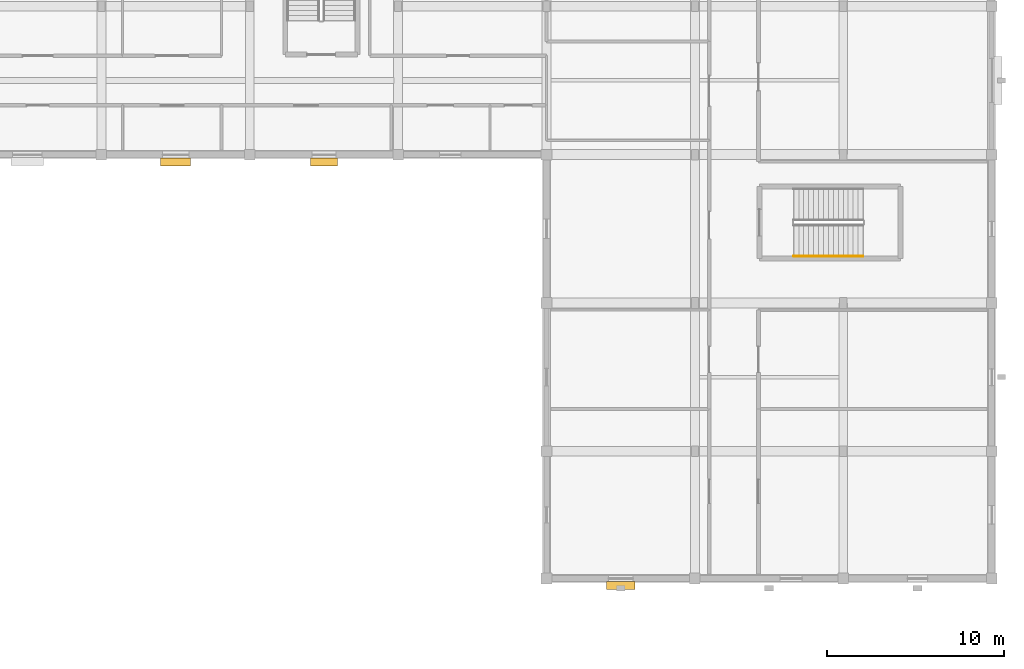
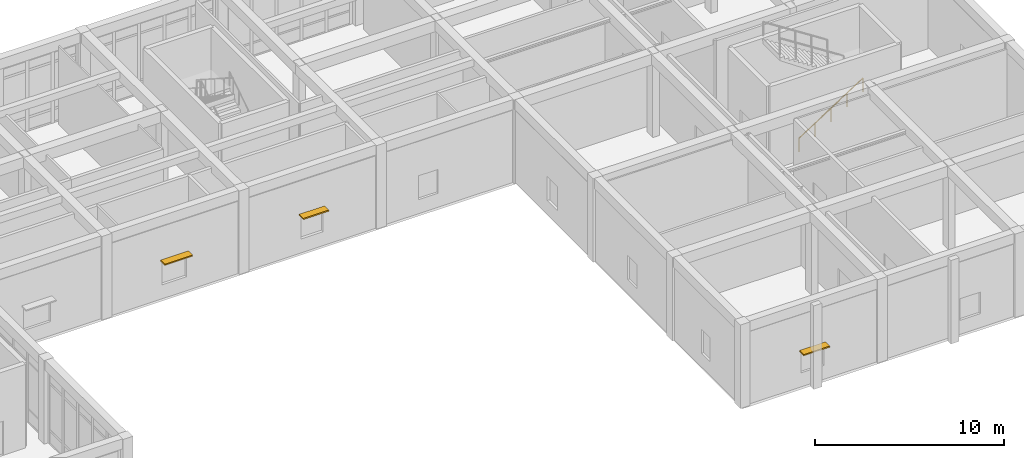
# One storey, part 149 of 157: 3 shading devices, 1 railing.
"""IFC4 building model written with IfcOpenShell, lengths in metres."""

from ifc_helpers import new_model, si_unit, direction, frame, origin, origin_2d, place, context, subcontext, project, spatial, rectangle, circle, extrude, material, layer, layer_set, type_object, element, save


model = new_model("IFC4")

# Units and contexts
model_context = context("Model", 3, precision=1e-05, world=origin(), true_north=direction((0.0, 1.0)))
body_context = subcontext(model_context, "Body", "Model", "MODEL_VIEW")
ifc_project = project(units=[si_unit("LENGTHUNIT", "METRE"), si_unit("AREAUNIT", "SQUARE_METRE"), si_unit("VOLUMEUNIT", "CUBIC_METRE"), si_unit("PLANEANGLEUNIT", "RADIAN"), si_unit("MASSUNIT", "GRAM", prefix="KILO")], contexts=[model_context])

# Site, building, storey
site_placement = place(None, origin())
site = spatial("IfcSite", under=ifc_project, at=site_placement, CompositionType="ELEMENT")
building_placement = place(site_placement, origin())
building = spatial("IfcBuilding", under=site, at=building_placement, Name="Varncliffe General Hospital", CompositionType="ELEMENT")
storey_placement = place(building_placement, frame((0.0, 0.0, 5.39990234375)))
storey = spatial("IfcBuildingStorey", under=building, at=storey_placement, Name="L01", CompositionType="ELEMENT", Elevation=5.39990234375)

# Shading devices
ifc_material_1 = material(Name="Dark bronze extruded aluminium solar jalousie louvres", Category="aluminium")
ifc_layer = layer(ifc_material_1, 0.080078125)
ifc_layer_set = layer_set([ifc_layer], Name="Dark bronze extruded aluminium solar jalousie louvres")
shading_device_type = type_object("IfcShadingDeviceType", Name="Bronze Solar Jalousie Louvre Hood SHD18", PredefinedType="JALOUSIE", material=ifc_layer_set)
shading_device_1_placement = place(storey_placement, frame((155.39990234375, -0.389892578125, 2.31005859375), z_axis=(0.0, 0.0, 1.0), x_axis=(-1.0, 0.0, 0.0)))
element("IfcShadingDevice", 1, at=shading_device_1_placement, inside=storey, type_object=shading_device_type, Name="L01 Bronze Window Sun-Shading Louvre 39", PredefinedType="JALOUSIE", context=body_context, shape_type="SweptSolid", body=[
    extrude(rectangle(XDim=1.60009765625, YDim=0.449951171875, at=origin_2d()), origin(), (0.0, 0.0, 1.0), 0.080078125),
])
shading_device_2_placement = place(storey_placement, frame((138.60009765625, 23.574951171875, 2.4599609375), z_axis=(0.0, 0.0, 1.0), x_axis=(-1.0, 0.0, 0.0)))
element("IfcShadingDevice", 2, at=shading_device_2_placement, inside=storey, type_object=shading_device_type, Name="L01 Bronze Window Sun-Shading Louvre 40", PredefinedType="JALOUSIE", context=body_context, shape_type="SweptSolid", body=[
    extrude(rectangle(XDim=1.550048828125, YDim=0.449951171875, at=origin_2d()), origin(), (0.0, 0.0, 1.0), 0.080078125),
])
shading_device_3_placement = place(storey_placement, frame((130.199951171875, 23.5849609375, 2.4599609375), z_axis=(0.0, 0.0, 1.0), x_axis=(-1.0, 0.0, 0.0)))
element("IfcShadingDevice", 3, at=shading_device_3_placement, inside=storey, type_object=shading_device_type, Name="L01 Bronze Window Sun-Shading Louvre 41", PredefinedType="JALOUSIE", context=body_context, shape_type="SweptSolid", body=[
    extrude(rectangle(XDim=1.699951171875, YDim=0.449951171875, at=origin_2d()), origin(), (0.0, 0.0, 1.0), 0.080078125),
])

# Railing
ifc_material_2 = material(Name="Powder-coated hospital steel guardrail and handrail", Category="steel")
railing_type = type_object("IfcRailingType", Name="Stair and Ramp Handrail HR46", PredefinedType="HANDRAIL", material=ifc_material_2)
railing_placement = place(storey_placement, frame((165.199951171875, 18.25, 0.364013671875)))
element("IfcRailing", 4, at=railing_placement, inside=storey, type_object=railing_type, Name="L01 ST11 stair handrail 1", PredefinedType="HANDRAIL", context=body_context, shape_type="SweptSolid", body=[
    extrude(circle(Radius=0.02392578125, at=origin_2d()), frame((0.0, 0.0, 0.8759765625), z_axis=(0.841186985886, 0.0, 0.540744352514), x_axis=(0.0, 1.0, 0.0)), (0.0, 0.0, 1.0), 4.660400390625),
    extrude(circle(Radius=0.02099609375, at=origin_2d()), origin(), (0.0, 0.0, 1.0), 0.851806640625),
    extrude(circle(Radius=0.02099609375, at=origin_2d()), frame((0.97998046875, 0.0, 0.6298828125)), (0.0, 0.0, 1.0), 0.851806640625),
    extrude(circle(Radius=0.02099609375, at=origin_2d()), frame((1.9599609375, 0.0, 1.260009765625)), (0.0, 0.0, 1.0), 0.851806640625),
    extrude(circle(Radius=0.02099609375, at=origin_2d()), frame((2.940185546875, 0.0, 1.89013671875)), (0.0, 0.0, 1.0), 0.851806640625),
    extrude(circle(Radius=0.02099609375, at=origin_2d()), frame((3.920166015625, 0.0, 2.52001953125)), (0.0, 0.0, 1.0), 0.851806640625),
])

save(model, "model.ifc")
